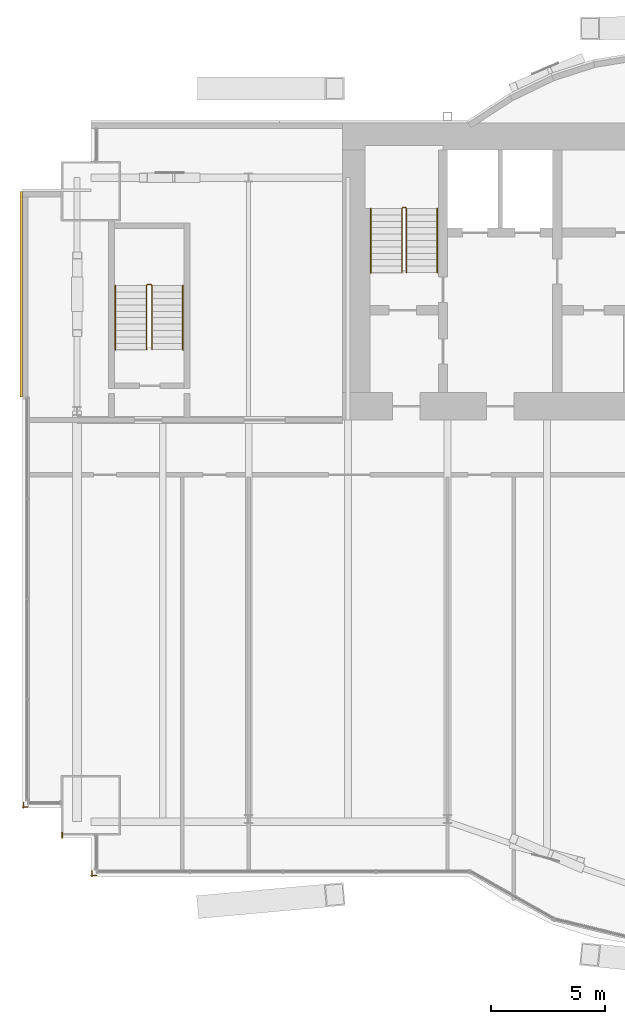
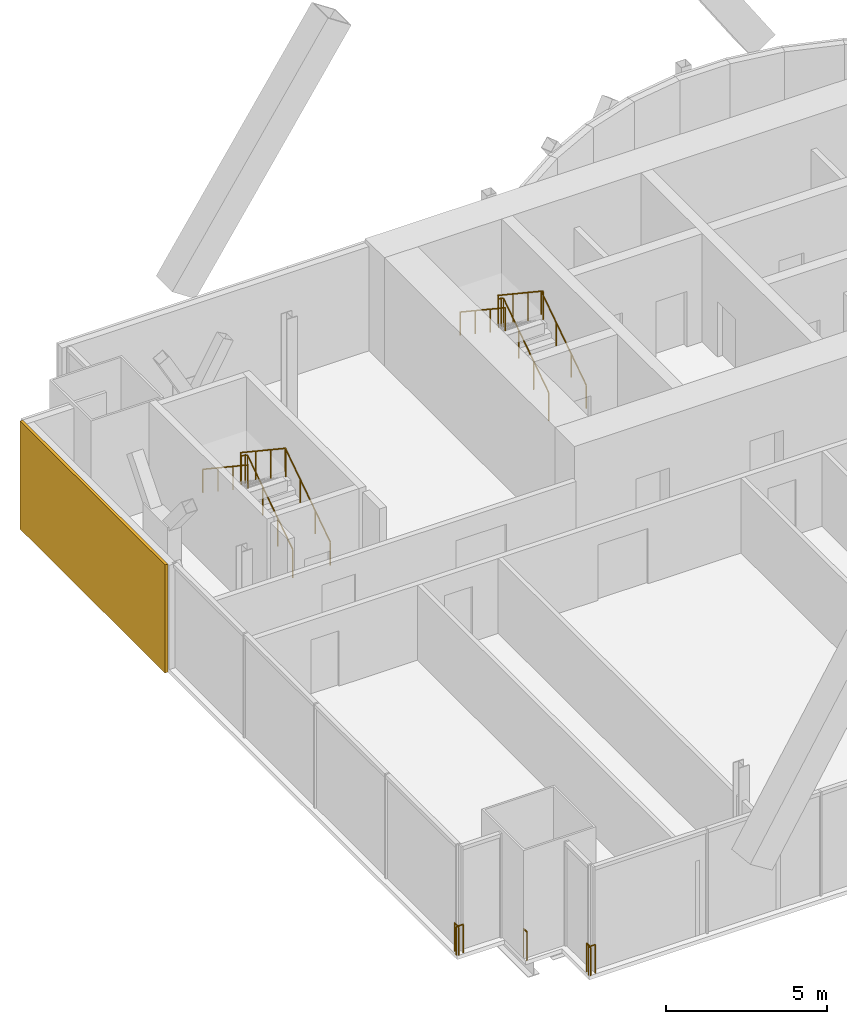
# One storey, part 19 of 21: 9 railings, 1 covering.
"""IFC4 building model written with IfcOpenShell, lengths in metres."""

from ifc_helpers import new_model, si_unit, direction, frame, origin, origin_2d, place, context, subcontext, project, spatial, rectangle, circle, extrude, material, layer, layer_set, type_object, element, save


model = new_model("IFC4")

# Units and contexts
model_context = context("Model", 3, precision=1e-05, world=origin(), true_north=direction((0.0, 1.0)))
body_context = subcontext(model_context, "Body", "Model", "MODEL_VIEW")
ifc_project = project(units=[si_unit("LENGTHUNIT", "METRE"), si_unit("AREAUNIT", "SQUARE_METRE"), si_unit("VOLUMEUNIT", "CUBIC_METRE"), si_unit("PLANEANGLEUNIT", "RADIAN"), si_unit("MASSUNIT", "GRAM", prefix="KILO")], contexts=[model_context])

# Site, building, storey
site_placement = place(None, origin())
site = spatial("IfcSite", under=ifc_project, at=site_placement, CompositionType="ELEMENT")
building_placement = place(site_placement, origin())
building = spatial("IfcBuilding", under=site, at=building_placement, Name="Bicima Exchange Tower", CompositionType="ELEMENT")
storey_placement = place(building_placement, frame((0.0, 0.0, 195.0)))
storey = spatial("IfcBuildingStorey", under=building, at=storey_placement, Name="L43", CompositionType="ELEMENT", Elevation=195.0)

# Covering
ifc_material_1 = material(Name="Bronze metal cladding")
ifc_layer_1 = layer(ifc_material_1, 0.004)
ifc_material_2 = material(Name="Ventilated cavity")
ifc_layer_2 = layer(ifc_material_2, 0.06)
ifc_material_3 = material(Name="Galvanised steel rail and mineral wool", Category="steel")
ifc_layer_3 = layer(ifc_material_3, 0.036)
ifc_layer_set = layer_set([ifc_layer_1, ifc_layer_2, ifc_layer_3], Name="Ventilated cavity")
covering_type = type_object("IfcCoveringType", Name="Bronze metal cladding panel 100", PredefinedType="CLADDING", material=ifc_layer_set)
covering_placement = place(storey_placement, frame((-36.050048828125, -7.5, -0.150146484375), z_axis=(0.0, 0.0, 1.0), x_axis=(0.0, -1.0, 0.0)))
element("IfcCovering", 1, at=covering_placement, inside=storey, type_object=covering_type, Name="Bronze cladding L43 23.1", PredefinedType="CLADDING", context=body_context, shape_type="SweptSolid", body=[
    extrude(rectangle(XDim=9.0, YDim=0.10009765625, at=origin_2d()), origin(), (0.0, 0.0, 1.0), 4.10009765625),
])

# Railings
ifc_material_4 = material(Name="Stainless steel and bonded safety glass", Category="steel")
railing_type_1 = type_object("IfcRailingType", Name="Edge guard 1100", PredefinedType="GUARDRAIL", material=ifc_material_4)
railing_1_placement = place(storey_placement, frame((-35.757080078125, -29.922119140625, 0.0)))
element("IfcRailing", 2, at=railing_1_placement, inside=storey, type_object=railing_type_1, Name="Edge guard L43 213", PredefinedType="GUARDRAIL", context=body_context, shape_type="SweptSolid", body=[
    extrude(circle(Radius=0.02392578125, at=origin_2d()), frame((0.0, 0.0, 1.076171875), z_axis=(-1.0, 0.0, 0.0), x_axis=(0.0, -1.0, 0.0)), (0.0, 0.0, 1.0), 0.242919921875),
    extrude(circle(Radius=0.02392578125, at=origin_2d()), frame((-0.242919921875, 0.0, 1.076171875), z_axis=(0.708833529934, -0.705375805398, 0.0), x_axis=(0.705375805398, 0.708833529934, 0.0)), (0.0, 0.0, 1.0), 0.070556640625),
    extrude(circle(Radius=0.02392578125, at=origin_2d()), frame((-0.19287109375, -0.0498046875, 1.076171875), z_axis=(0.0, 1.0, 0.0), x_axis=(-1.0, 0.0, 0.0)), (0.0, 0.0, 1.0), 0.25),
    extrude(circle(Radius=0.02099609375, at=origin_2d()), origin(), (0.0, 0.0, 1.0), 1.052001953125),
    extrude(circle(Radius=0.02099609375, at=origin_2d()), frame((-0.242919921875, 0.0, 0.0)), (0.0, 0.0, 1.0), 1.052001953125),
    extrude(circle(Radius=0.02099609375, at=origin_2d()), frame((-0.19287109375, -0.0498046875, 0.0)), (0.0, 0.0, 1.0), 1.052001953125),
    extrude(circle(Radius=0.02099609375, at=origin_2d()), frame((-0.19287109375, 0.2001953125, 0.0)), (0.0, 0.0, 1.0), 1.052001953125),
])
railing_2_placement = place(storey_placement, frame((-32.75, -32.922119140625, 0.0)))
element("IfcRailing", 3, at=railing_2_placement, inside=storey, type_object=railing_type_1, Name="Edge guard L43 217", PredefinedType="GUARDRAIL", context=body_context, shape_type="SweptSolid", body=[
    extrude(circle(Radius=0.02392578125, at=origin_2d()), frame((0.0, 0.0, 1.076171875), z_axis=(-1.0, 0.0, 0.0), x_axis=(0.0, -1.0, 0.0)), (0.0, 0.0, 1.0), 0.25),
    extrude(circle(Radius=0.02392578125, at=origin_2d()), frame((-0.25, 0.0, 1.076171875), z_axis=(0.708833529934, -0.705375805398, 0.0), x_axis=(0.705375805398, 0.708833529934, 0.0)), (0.0, 0.0, 1.0), 0.070556640625),
    extrude(circle(Radius=0.02392578125, at=origin_2d()), frame((-0.199951171875, -0.0498046875, 1.076171875), z_axis=(0.0, 1.0, 0.0), x_axis=(-1.0, 0.0, 0.0)), (0.0, 0.0, 1.0), 0.242919921875),
    extrude(circle(Radius=0.02099609375, at=origin_2d()), origin(), (0.0, 0.0, 1.0), 1.052001953125),
    extrude(circle(Radius=0.02099609375, at=origin_2d()), frame((-0.25, 0.0, 0.0)), (0.0, 0.0, 1.0), 1.052001953125),
    extrude(circle(Radius=0.02099609375, at=origin_2d()), frame((-0.199951171875, -0.0498046875, 0.0)), (0.0, 0.0, 1.0), 1.052001953125),
    extrude(circle(Radius=0.02099609375, at=origin_2d()), frame((-0.199951171875, 0.193115234375, 0.0)), (0.0, 0.0, 1.0), 1.052001953125),
])
railing_3_placement = place(storey_placement, frame((-34.25, -31.27197265625, 0.0)))
element("IfcRailing", 4, at=railing_3_placement, inside=storey, type_object=railing_type_1, Name="Edge guard L43 218", PredefinedType="GUARDRAIL", context=body_context, shape_type="SweptSolid", body=[
    extrude(circle(Radius=0.02392578125, at=origin_2d()), frame((0.0, 0.0, 1.076171875), z_axis=(0.0, 1.0, 0.0), x_axis=(-1.0, 0.0, 0.0)), (0.0, 0.0, 1.0), 0.217041015625),
    extrude(circle(Radius=0.02099609375, at=origin_2d()), origin(), (0.0, 0.0, 1.0), 1.052001953125),
    extrude(circle(Radius=0.02099609375, at=origin_2d()), frame((0.0, 0.217041015625, 0.0)), (0.0, 0.0, 1.0), 1.052001953125),
])
ifc_material_5 = material(Name="Stainless steel", Category="steel")
railing_type_2 = type_object("IfcRailingType", Name="Stair guard 1100", PredefinedType="GUARDRAIL", material=ifc_material_5)
railing_4_placement = place(storey_placement, frame((-19.199951171875, -6.550048828125, 0.186279296875)))
element("IfcRailing", 5, at=railing_4_placement, inside=storey, type_object=railing_type_2, Name="L43 ST-W stair guard 1", PredefinedType="GUARDRAIL", context=body_context, shape_type="SweptSolid", body=[
    extrude(circle(Radius=0.02392578125, at=origin_2d()), frame((0.0, 0.0, 1.076171875), z_axis=(0.0, 0.832452072856, 0.554097055034), x_axis=(-1.0, 0.0, 0.0)), (0.0, 0.0, 1.0), 3.363525390625),
    extrude(circle(Radius=0.02392578125, at=origin_2d()), frame((0.0, 2.800048828125, 2.93994140625), z_axis=(-0.707106781187, 0.707106781187, 0.0), x_axis=(-0.707106781187, -0.707106781187, 0.0)), (0.0, 0.0, 1.0), 0.07080078125),
    extrude(circle(Radius=0.02392578125, at=origin_2d()), frame((-0.050048828125, 2.85009765625, 2.93994140625), z_axis=(-1.0, 0.0, 0.0), x_axis=(0.0, -1.0, 0.0)), (0.0, 0.0, 1.0), 0.10009765625),
    extrude(circle(Radius=0.02392578125, at=origin_2d()), frame((-0.150146484375, 2.85009765625, 2.93994140625), z_axis=(-0.250008635948, -0.251234168477, 0.935081319748), x_axis=(0.708833529934, -0.705375805398, 0.0)), (0.0, 0.0, 1.0), 0.19921875),
    extrude(circle(Radius=0.02392578125, at=origin_2d()), frame((-0.199951171875, 2.800048828125, 3.1259765625), z_axis=(0.0, -0.832452072856, 0.554097055034), x_axis=(1.0, 0.0, 0.0)), (0.0, 0.0, 1.0), 3.363525390625),
    extrude(circle(Radius=0.02099609375, at=origin_2d()), origin(), (0.0, 0.0, 1.0), 1.052001953125),
    extrude(circle(Radius=0.02099609375, at=origin_2d()), frame((0.0, 0.933349609375, 0.621337890625)), (0.0, 0.0, 1.0), 1.052001953125),
    extrude(circle(Radius=0.02099609375, at=origin_2d()), frame((0.0, 1.86669921875, 1.242431640625)), (0.0, 0.0, 1.0), 1.052001953125),
    extrude(circle(Radius=0.02099609375, at=origin_2d()), frame((0.0, 2.800048828125, 1.86376953125)), (0.0, 0.0, 1.0), 1.052001953125),
    extrude(circle(Radius=0.02099609375, at=origin_2d()), frame((-0.050048828125, 2.85009765625, 1.86376953125)), (0.0, 0.0, 1.0), 1.052001953125),
    extrude(circle(Radius=0.02099609375, at=origin_2d()), frame((-0.150146484375, 2.85009765625, 1.86376953125)), (0.0, 0.0, 1.0), 1.052001953125),
    extrude(circle(Radius=0.02099609375, at=origin_2d()), frame((-0.199951171875, 2.800048828125, 2.050048828125)), (0.0, 0.0, 1.0), 1.052001953125),
    extrude(circle(Radius=0.02099609375, at=origin_2d()), frame((-0.199951171875, 1.86669921875, 2.67138671875)), (0.0, 0.0, 1.0), 1.052001953125),
    extrude(circle(Radius=0.02099609375, at=origin_2d()), frame((-0.199951171875, 0.933349609375, 3.29248046875)), (0.0, 0.0, 1.0), 1.052001953125),
    extrude(circle(Radius=0.02099609375, at=origin_2d()), frame((-0.199951171875, 0.0, 3.913818359375)), (0.0, 0.0, 1.0), 1.052001953125),
])
railing_5_placement = place(storey_placement, frame((-30.324951171875, -9.925048828125, 0.186279296875)))
element("IfcRailing", 6, at=railing_5_placement, inside=storey, type_object=railing_type_2, Name="L43 ST-WW stair guard 1", PredefinedType="GUARDRAIL", context=body_context, shape_type="SweptSolid", body=[
    extrude(circle(Radius=0.02392578125, at=origin_2d()), frame((0.0, 0.0, 1.076171875), z_axis=(0.0, 0.832452072856, 0.554097055034), x_axis=(-1.0, 0.0, 0.0)), (0.0, 0.0, 1.0), 3.363525390625),
    extrude(circle(Radius=0.02392578125, at=origin_2d()), frame((0.0, 2.800048828125, 2.93994140625), z_axis=(-0.707106781187, 0.707106781187, 0.0), x_axis=(-0.707106781187, -0.707106781187, 0.0)), (0.0, 0.0, 1.0), 0.07080078125),
    extrude(circle(Radius=0.02392578125, at=origin_2d()), frame((-0.050048828125, 2.85009765625, 2.93994140625), z_axis=(-1.0, 0.0, 0.0), x_axis=(0.0, -1.0, 0.0)), (0.0, 0.0, 1.0), 0.14990234375),
    extrude(circle(Radius=0.02392578125, at=origin_2d()), frame((-0.199951171875, 2.85009765625, 2.93994140625), z_axis=(-0.251157038772, -0.251157038772, 0.934794246747), x_axis=(0.707106781187, -0.707106781187, 0.0)), (0.0, 0.0, 1.0), 0.19921875),
    extrude(circle(Radius=0.02392578125, at=origin_2d()), frame((-0.25, 2.800048828125, 3.1259765625), z_axis=(0.0, -0.832452072856, 0.554097055034), x_axis=(1.0, 0.0, 0.0)), (0.0, 0.0, 1.0), 3.363525390625),
    extrude(circle(Radius=0.02099609375, at=origin_2d()), origin(), (0.0, 0.0, 1.0), 1.052001953125),
    extrude(circle(Radius=0.02099609375, at=origin_2d()), frame((0.0, 0.933349609375, 0.621337890625)), (0.0, 0.0, 1.0), 1.052001953125),
    extrude(circle(Radius=0.02099609375, at=origin_2d()), frame((0.0, 1.86669921875, 1.242431640625)), (0.0, 0.0, 1.0), 1.052001953125),
    extrude(circle(Radius=0.02099609375, at=origin_2d()), frame((0.0, 2.800048828125, 1.86376953125)), (0.0, 0.0, 1.0), 1.052001953125),
    extrude(circle(Radius=0.02099609375, at=origin_2d()), frame((-0.050048828125, 2.85009765625, 1.86376953125)), (0.0, 0.0, 1.0), 1.052001953125),
    extrude(circle(Radius=0.02099609375, at=origin_2d()), frame((-0.199951171875, 2.85009765625, 1.86376953125)), (0.0, 0.0, 1.0), 1.052001953125),
    extrude(circle(Radius=0.02099609375, at=origin_2d()), frame((-0.25, 2.800048828125, 2.050048828125)), (0.0, 0.0, 1.0), 1.052001953125),
    extrude(circle(Radius=0.02099609375, at=origin_2d()), frame((-0.25, 1.86669921875, 2.67138671875)), (0.0, 0.0, 1.0), 1.052001953125),
    extrude(circle(Radius=0.02099609375, at=origin_2d()), frame((-0.25, 0.933349609375, 3.29248046875)), (0.0, 0.0, 1.0), 1.052001953125),
    extrude(circle(Radius=0.02099609375, at=origin_2d()), frame((-0.25, 0.0, 3.913818359375)), (0.0, 0.0, 1.0), 1.052001953125),
])
railing_type_3 = type_object("IfcRailingType", Name="Stair handrail 900", PredefinedType="HANDRAIL", material=ifc_material_5)
railing_6_placement = place(storey_placement, frame((-17.85009765625, -6.550048828125, 0.186279296875)))
element("IfcRailing", 7, at=railing_6_placement, inside=storey, type_object=railing_type_3, Name="L43 ST-W stair handrail 1", PredefinedType="HANDRAIL", context=body_context, shape_type="SweptSolid", body=[
    extrude(circle(Radius=0.02392578125, at=origin_2d()), frame((0.0, 0.0, 0.8759765625), z_axis=(0.0, 0.832452072856, 0.554097055034), x_axis=(-1.0, 0.0, 0.0)), (0.0, 0.0, 1.0), 3.363525390625),
    extrude(circle(Radius=0.02099609375, at=origin_2d()), origin(), (0.0, 0.0, 1.0), 0.851806640625),
    extrude(circle(Radius=0.02099609375, at=origin_2d()), frame((0.0, 0.933349609375, 0.621337890625)), (0.0, 0.0, 1.0), 0.851806640625),
    extrude(circle(Radius=0.02099609375, at=origin_2d()), frame((0.0, 1.86669921875, 1.242431640625)), (0.0, 0.0, 1.0), 0.851806640625),
    extrude(circle(Radius=0.02099609375, at=origin_2d()), frame((0.0, 2.800048828125, 1.86376953125)), (0.0, 0.0, 1.0), 0.851806640625),
])
railing_7_placement = place(storey_placement, frame((-20.75, -3.75, 2.27685546875)))
element("IfcRailing", 8, at=railing_7_placement, inside=storey, type_object=railing_type_3, Name="L43 ST-W stair handrail 2", PredefinedType="HANDRAIL", context=body_context, shape_type="SweptSolid", body=[
    extrude(circle(Radius=0.02392578125, at=origin_2d()), frame((0.0, 0.0, 0.8759765625), z_axis=(0.0, -0.832485552168, 0.554046753832), x_axis=(1.0, 0.0, 0.0)), (0.0, 0.0, 1.0), 3.363525390625),
    extrude(circle(Radius=0.02099609375, at=origin_2d()), origin(), (0.0, 0.0, 1.0), 0.851806640625),
    extrude(circle(Radius=0.02099609375, at=origin_2d()), frame((0.0, -0.933349609375, 0.62109375)), (0.0, 0.0, 1.0), 0.851806640625),
    extrude(circle(Radius=0.02099609375, at=origin_2d()), frame((0.0, -1.86669921875, 1.242431640625)), (0.0, 0.0, 1.0), 0.851806640625),
    extrude(circle(Radius=0.02099609375, at=origin_2d()), frame((0.0, -2.800048828125, 1.863525390625)), (0.0, 0.0, 1.0), 0.851806640625),
])
railing_8_placement = place(storey_placement, frame((-28.97509765625, -9.925048828125, 0.186279296875)))
element("IfcRailing", 9, at=railing_8_placement, inside=storey, type_object=railing_type_3, Name="L43 ST-WW stair handrail 1", PredefinedType="HANDRAIL", context=body_context, shape_type="SweptSolid", body=[
    extrude(circle(Radius=0.02392578125, at=origin_2d()), frame((0.0, 0.0, 0.8759765625), z_axis=(0.0, 0.832452072856, 0.554097055034), x_axis=(-1.0, 0.0, 0.0)), (0.0, 0.0, 1.0), 3.363525390625),
    extrude(circle(Radius=0.02099609375, at=origin_2d()), origin(), (0.0, 0.0, 1.0), 0.851806640625),
    extrude(circle(Radius=0.02099609375, at=origin_2d()), frame((0.0, 0.933349609375, 0.621337890625)), (0.0, 0.0, 1.0), 0.851806640625),
    extrude(circle(Radius=0.02099609375, at=origin_2d()), frame((0.0, 1.86669921875, 1.242431640625)), (0.0, 0.0, 1.0), 0.851806640625),
    extrude(circle(Radius=0.02099609375, at=origin_2d()), frame((0.0, 2.800048828125, 1.86376953125)), (0.0, 0.0, 1.0), 0.851806640625),
])
railing_9_placement = place(storey_placement, frame((-31.925048828125, -7.125, 2.27685546875)))
element("IfcRailing", 10, at=railing_9_placement, inside=storey, type_object=railing_type_3, Name="L43 ST-WW stair handrail 2", PredefinedType="HANDRAIL", context=body_context, shape_type="SweptSolid", body=[
    extrude(circle(Radius=0.02392578125, at=origin_2d()), frame((0.0, 0.0, 0.8759765625), z_axis=(0.0, -0.832485552168, 0.554046753832), x_axis=(1.0, 0.0, 0.0)), (0.0, 0.0, 1.0), 3.363525390625),
    extrude(circle(Radius=0.02099609375, at=origin_2d()), origin(), (0.0, 0.0, 1.0), 0.851806640625),
    extrude(circle(Radius=0.02099609375, at=origin_2d()), frame((0.0, -0.933349609375, 0.62109375)), (0.0, 0.0, 1.0), 0.851806640625),
    extrude(circle(Radius=0.02099609375, at=origin_2d()), frame((0.0, -1.86669921875, 1.242431640625)), (0.0, 0.0, 1.0), 0.851806640625),
    extrude(circle(Radius=0.02099609375, at=origin_2d()), frame((0.0, -2.800048828125, 1.863525390625)), (0.0, 0.0, 1.0), 0.851806640625),
])

save(model, "model.ifc")
